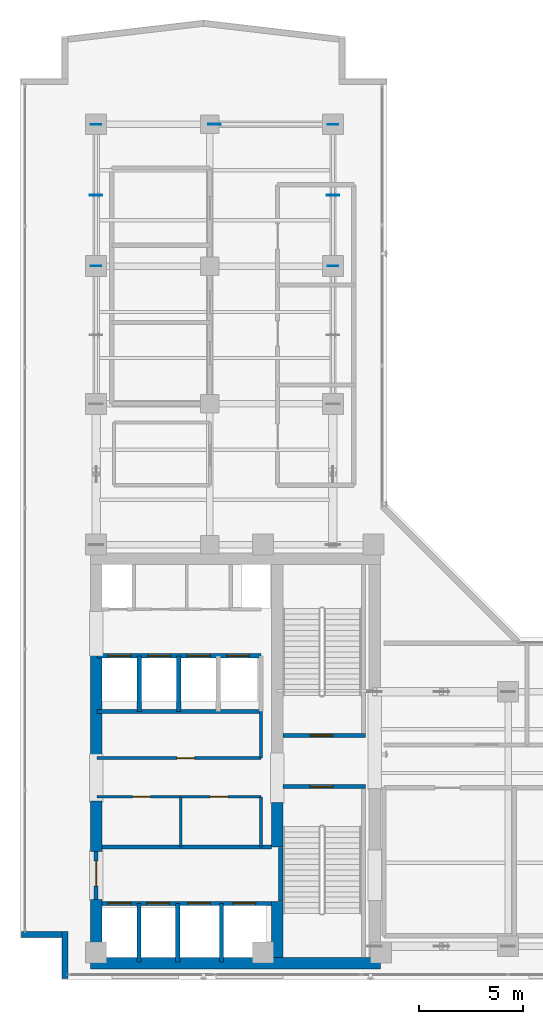
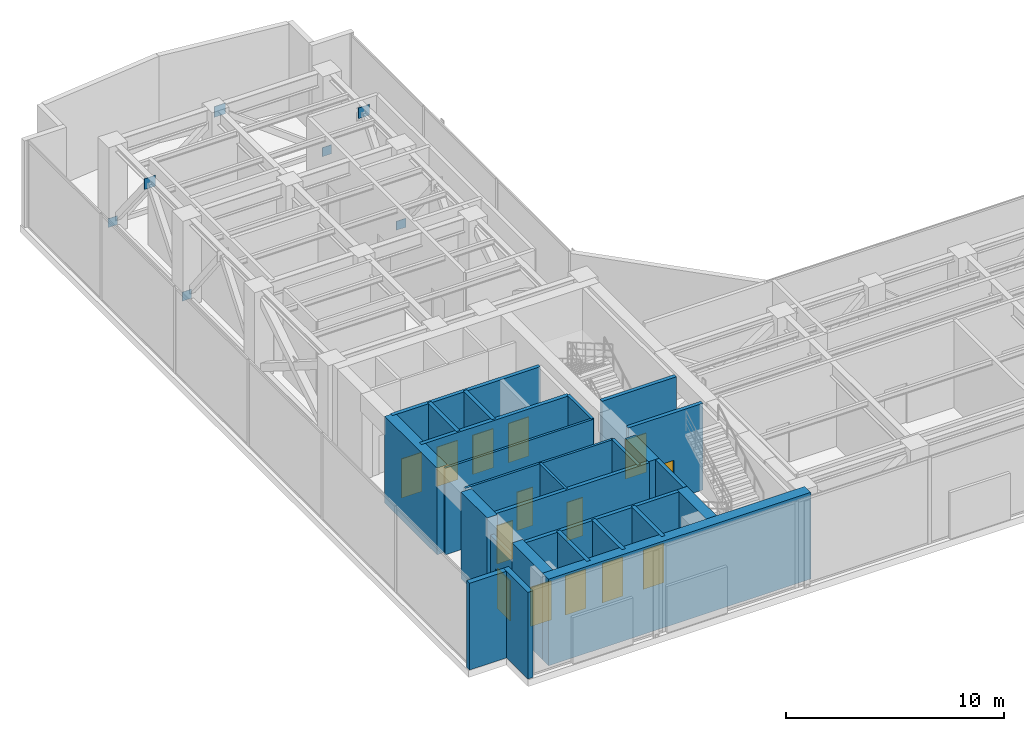
# One storey, part 26 of 31: 26 walls, 14 doors, 7 plates, 14 openings.
"""IFC4 building model written with IfcOpenShell, lengths in metres."""

from ifc_helpers import new_model, si_unit, direction, frame, frame_2d, origin, origin_with_axes, origin_2d, place, context, subcontext, project, spatial, rectangle, extrude, source, transform, mapped, material, layer, layer_set, type_object, element, fill, save


model = new_model("IFC4")

# Units and contexts
model_context = context("Model", 3, precision=1e-05, world=origin(), true_north=direction((0.0, 1.0)))
body_context = subcontext(model_context, "Body", "Model", "MODEL_VIEW")
ifc_project = project(units=[si_unit("LENGTHUNIT", "METRE"), si_unit("AREAUNIT", "SQUARE_METRE"), si_unit("VOLUMEUNIT", "CUBIC_METRE"), si_unit("PLANEANGLEUNIT", "RADIAN"), si_unit("MASSUNIT", "GRAM", prefix="KILO")], contexts=[model_context])

# Site, building, storey
site_placement = place(None, origin())
site = spatial("IfcSite", under=ifc_project, at=site_placement, CompositionType="ELEMENT")
building_placement = place(site_placement, origin())
building = spatial("IfcBuilding", under=site, at=building_placement, Name="Kolvaren Waterfront Exchange", CompositionType="ELEMENT")
storey_placement = place(building_placement, frame((0.0, 0.0, 257.699951171875)))
storey = spatial("IfcBuildingStorey", under=building, at=storey_placement, Name="L66", CompositionType="ELEMENT", Elevation=257.699951171875)

# Plates
ifc_material_1 = material(Name="Steel S460", Category="steel")
ifc_layer_1 = layer(ifc_material_1, 0.030029296875, Name="Steel S460")
ifc_layer_set_1 = layer_set([ifc_layer_1], Name="Steel S460")
plate_type_1 = type_object("IfcPlateType", Name="STR-PL-BN1", PredefinedType="SHEET", material=ifc_layer_set_1)
shared_shape_1 = source(origin_with_axes(), body_context, "Body", "SweptSolid", [
    extrude(rectangle(XDim=0.60009765625, YDim=0.030029296875, at=origin_2d()), origin(), (0.0, 0.0, 1.0), 0.60009765625),
])
for number, where, z_axis, x_axis, name in (
    (1, (7.449951171875, 41.199951171875, 4.2099609375), (0.0, 0.0, 1.0), (1.0, 0.0, 0.0), "L66 belt-truss chevron apex gusset BT5"),
    (2, (18.800048828125, 41.199951171875, 4.2099609375), (0.0, 0.0, 1.0), (1.0, 0.0, 0.0), "L66 belt-truss chevron apex gusset BT7"),
    (3, (13.125, 44.60009765625, 4.2099609375), (0.0, 0.0, 1.0), (1.0, 0.0, 0.0), "L66 belt-truss chevron apex gusset BT8"),
):
    element("IfcPlate", number, at=place(storey_placement, frame(where, z_axis=z_axis, x_axis=x_axis)), inside=storey, type_object=plate_type_1, Name=name, PredefinedType="SHEET", context=body_context, shape_type="MappedRepresentation", body=[
        mapped(shared_shape_1, transform((0.0, 0.0, 0.0), x_axis=(1.0, 0.0, 0.0), y_axis=(0.0, 1.0, 0.0), z_axis=(0.0, 0.0, 1.0), scale=1.0)),
    ])
ifc_material_2 = material(Name="Steel S355", Category="steel")
ifc_layer_2 = layer(ifc_material_2, 0.02490234375, Name="Steel S355")
ifc_layer_set_2 = layer_set([ifc_layer_2], Name="Steel S355")
plate_type_2 = type_object("IfcPlateType", Name="STR-PL-BN2", PredefinedType="SHEET", material=ifc_layer_set_2)
shared_shape_2 = source(origin_with_axes(), body_context, "Body", "SweptSolid", [
    extrude(rectangle(XDim=0.5, YDim=0.02490234375, at=origin_2d()), origin(), (0.0, 0.0, 1.0), 0.5),
])
for number, where, z_axis, x_axis, name in (
    (4, (7.449951171875, 37.800048828125, 0.0), (0.0, 0.0, 1.0), (1.0, 0.0, 0.0), "L66 belt-truss end cap plate BT4.2"),
    (5, (7.449951171875, 44.60009765625, 0.0), (0.0, 0.0, 1.0), (1.0, 0.0, 0.0), "L66 belt-truss end cap plate BT5.2"),
    (6, (18.800048828125, 37.800048828125, 0.0), (0.0, 0.0, 1.0), (1.0, 0.0, 0.0), "L66 belt-truss end cap plate BT6.2"),
    (7, (18.800048828125, 44.60009765625, 0.0), (0.0, 0.0, 1.0), (1.0, 0.0, 0.0), "L66 belt-truss end cap plate BT7.2"),
):
    element("IfcPlate", number, at=place(storey_placement, frame(where, z_axis=z_axis, x_axis=x_axis)), inside=storey, type_object=plate_type_2, Name=name, PredefinedType="SHEET", context=body_context, shape_type="MappedRepresentation", body=[
        mapped(shared_shape_2, transform((0.0, 0.0, 0.0), x_axis=(1.0, 0.0, 0.0), y_axis=(0.0, 1.0, 0.0), z_axis=(0.0, 0.0, 1.0), scale=1.0)),
    ])

# Walls
ifc_material_3 = material(Name="Precast concrete C40/50", Category="concrete")
ifc_layer_3 = layer(ifc_material_3, 0.280029296875, Name="Precast concrete C40/50")
ifc_layer_set_3 = layer_set([ifc_layer_3], Name="Precast concrete C40/50")
wall_type_1 = type_object("IfcWallType", Name="ARC-EXT-TERR-280", PredefinedType="SOLIDWALL", material=ifc_layer_set_3)
wall_1_placement = place(storey_placement, frame((5.9599609375, 3.659912109375, 0.0), z_axis=(0.0, 0.0, 1.0), x_axis=(0.0, 1.0, 0.0)))
element("IfcWall", 8, at=wall_1_placement, inside=storey, type_object=wall_type_1, Name="L66 notched corner spandrel pier SW-A", PredefinedType="SOLIDWALL", context=body_context, shape_type="SweptSolid", body=[
    extrude(rectangle(XDim=2.239990234375, YDim=0.280029296875, at=frame_2d((1.1201171875, 0.0))), origin(), (0.0, 0.0, 1.0), 4.860107421875),
])
wall_2_placement = place(storey_placement, frame((3.860107421875, 5.760009765625, 0.0), z_axis=(0.0, 0.0, 1.0), x_axis=(1.0, 0.0, 0.0)))
element("IfcWall", 9, at=wall_2_placement, inside=storey, type_object=wall_type_1, Name="L66 notched corner spandrel pier SW-B", PredefinedType="SOLIDWALL", context=body_context, shape_type="SweptSolid", body=[
    extrude(rectangle(XDim=1.9599609375, YDim=0.280029296875, at=frame_2d((0.97998046875, 0.0))), origin(), (0.0, 0.0, 1.0), 4.860107421875),
])

# Wall, opening, door
ifc_layer_4 = layer(ifc_material_3, 0.199951171875, Name="Precast concrete C40/50")
ifc_layer_set_4 = layer_set([ifc_layer_4], Name="Precast concrete C40/50")
wall_type_2 = type_object("IfcWallType", Name="ARC-FIRE-200", PredefinedType="PARTITIONING", material=ifc_layer_set_4)
wall_3_placement = place(storey_placement, frame((16.39990234375, 12.85009765625, 0.0), z_axis=(0.0, 0.0, 1.0), x_axis=(1.0, 0.0, 0.0)))
wall_3 = element("IfcWall", 10, at=wall_3_placement, inside=storey, type_object=wall_type_2, Name="L66 interior wall PW-L66-ST1-THROAT-S", PredefinedType="PARTITIONING", context=body_context, shape_type="SweptSolid", body=[
    extrude(rectangle(XDim=3.960205078125, YDim=0.199951171875, at=frame_2d((1.97998046875, 0.0))), origin(), (0.0, 0.0, 1.0), 4.860107421875),
])
opening_1_placement = place(wall_3_placement, frame((1.3037109375, 0.0, 0.0)))
opening_1 = element("IfcOpeningElement", 11, at=opening_1_placement, cuts=wall_3, Name="Opening FD2", PredefinedType="OPENING", context=body_context, shape_type="SweptSolid", body=[
    extrude(rectangle(XDim=1.10009765625, YDim=2.199951171875, at=frame_2d((0.550048828125, 1.10009765625))), frame((0.0, 0.10986328125, 0.0), z_axis=(0.0, -1.0, 0.0), x_axis=(1.0, 0.0, 0.0)), (0.0, 0.0, 1.0), 0.219970703125),
])
ifc_material_4 = material(Name="Pressed steel smoke-seal fire door", Category="steel")
door_type_1 = type_object("IfcDoorType", Name="ARC-FD-1100", OperationType="NOTDEFINED", PredefinedType="DOOR", material=ifc_material_4)
door_1_placement = place(opening_1_placement, frame((1.10009765625, 0.0, 0.0), z_axis=(0.0, 0.0, 1.0), x_axis=(-1.0, 0.0, 0.0)))
door_1 = element("IfcDoor", 12, at=door_1_placement, inside=storey, type_object=door_type_1, Name="L66 door DR-L66-ST1-IN (FD2)", OperationType="SINGLE_SWING_RIGHT", OverallHeight=2.199951171875, OverallWidth=1.10009765625, PredefinedType="DOOR", context=body_context, shape_type="SweptSolid", body=[
    extrude(rectangle(XDim=1.10009765625, YDim=2.199951171875, at=frame_2d((0.550048828125, 1.10009765625))), frame((0.0, 0.02490234375, 0.0), z_axis=(0.0, -1.0, 0.0), x_axis=(1.0, 0.0, 0.0)), (0.0, 0.0, 1.0), 0.050048828125),
])
fill(opening_1, door_1)

wall_4_placement = place(storey_placement, frame((16.409912109375, 15.300048828125, 0.0), z_axis=(0.0, 0.0, 1.0), x_axis=(1.0, 0.0, 0.0)))
wall_4 = element("IfcWall", 13, at=wall_4_placement, inside=storey, type_object=wall_type_2, Name="L66 interior wall PW-L66-ST2-THROAT-N", PredefinedType="PARTITIONING", context=body_context, shape_type="SweptSolid", body=[
    extrude(rectangle(XDim=3.9501953125, YDim=0.199951171875, at=frame_2d((1.97509765625, 0.0))), origin(), (0.0, 0.0, 1.0), 4.860107421875),
])
opening_2_placement = place(wall_4_placement, frame((1.293701171875, 0.0, 0.0)))
opening_2 = element("IfcOpeningElement", 14, at=opening_2_placement, cuts=wall_4, Name="Opening FD2", PredefinedType="OPENING", context=body_context, shape_type="SweptSolid", body=[
    extrude(rectangle(XDim=1.10009765625, YDim=2.199951171875, at=frame_2d((0.550048828125, 1.10009765625))), frame((0.0, 0.10986328125, 0.0), z_axis=(0.0, -1.0, 0.0), x_axis=(1.0, 0.0, 0.0)), (0.0, 0.0, 1.0), 0.219970703125),
])
door_2_placement = place(opening_2_placement, origin())
door_2 = element("IfcDoor", 15, at=door_2_placement, inside=storey, type_object=door_type_1, Name="L66 door DR-L66-ST2-IN (FD2)", OperationType="SINGLE_SWING_LEFT", OverallHeight=2.199951171875, OverallWidth=1.10009765625, PredefinedType="DOOR", context=body_context, shape_type="SweptSolid", body=[
    extrude(rectangle(XDim=1.10009765625, YDim=2.199951171875, at=frame_2d((0.550048828125, 1.10009765625))), frame((0.0, 0.02490234375, 0.0), z_axis=(0.0, -1.0, 0.0), x_axis=(1.0, 0.0, 0.0)), (0.0, 0.0, 1.0), 0.050048828125),
])
fill(opening_2, door_2)

# Wall
wall_5_placement = place(storey_placement, frame((7.5, 9.949951171875, 0.0), z_axis=(0.0, 0.0, 1.0), x_axis=(1.0, 0.0, 0.0)))
element("IfcWall", 16, at=wall_5_placement, inside=storey, type_object=wall_type_2, Name="L66 interior wall PW-L66-FF-N", PredefinedType="PARTITIONING", context=body_context, shape_type="SweptSolid", body=[
    extrude(rectangle(XDim=8.35009765625, YDim=0.199951171875, at=frame_2d((4.175048828125, 0.0))), origin(), (0.0, 0.0, 1.0), 4.860107421875),
])

# Wall, opening, door
wall_6_placement = place(storey_placement, frame((7.449951171875, 7.449951171875, 0.0), z_axis=(0.0, 0.0, 1.0), x_axis=(0.0, 1.0, 0.0)))
wall_6 = element("IfcWall", 17, at=wall_6_placement, inside=storey, type_object=wall_type_2, Name="L66 interior wall PW-L66-FF-W-DOOR", PredefinedType="PARTITIONING", context=body_context, shape_type="SweptSolid", body=[
    extrude(rectangle(XDim=2.300048828125, YDim=0.199951171875, at=frame_2d((1.14990234375, 0.0))), origin(), (0.0, 0.0, 1.0), 3.840087890625),
])
opening_3_placement = place(wall_6_placement, frame((0.63330078125, 0.0, 0.0)))
opening_3 = element("IfcOpeningElement", 18, at=opening_3_placement, cuts=wall_6, Name="Opening FD3", PredefinedType="OPENING", context=body_context, shape_type="SweptSolid", body=[
    extrude(rectangle(XDim=1.199951171875, YDim=2.25, at=frame_2d((0.60009765625, 1.125))), frame((0.0, 0.10986328125, 0.0), z_axis=(0.0, -1.0, 0.0), x_axis=(1.0, 0.0, 0.0)), (0.0, 0.0, 1.0), 0.219970703125),
])
ifc_material_5 = material(Name="Pressed steel fire door", Category="steel")
door_type_2 = type_object("IfcDoorType", Name="ARC-FD-1200", OperationType="NOTDEFINED", PredefinedType="DOOR", material=ifc_material_5)
door_3_placement = place(opening_3_placement, frame((1.199951171875, 0.0, 0.0), z_axis=(0.0, 0.0, 1.0), x_axis=(-1.0, 0.0, 0.0)))
door_3 = element("IfcDoor", 19, at=door_3_placement, inside=storey, type_object=door_type_2, Name="L66 door DR-L66-FF-OUT (FD3)", OperationType="SINGLE_SWING_RIGHT", OverallHeight=2.25, OverallWidth=1.199951171875, PredefinedType="DOOR", context=body_context, shape_type="SweptSolid", body=[
    extrude(rectangle(XDim=1.199951171875, YDim=2.25, at=frame_2d((0.60009765625, 1.125))), frame((0.0, 0.02490234375, 0.0), z_axis=(0.0, -1.0, 0.0), x_axis=(1.0, 0.0, 0.0)), (0.0, 0.0, 1.0), 0.050048828125),
])
fill(opening_3, door_3)

# Wall, openings, doors
ifc_material_6 = material(Name="Acoustic gypsum steel stud", Category="steel")
ifc_layer_5 = layer(ifc_material_6, 0.125, Name="Acoustic gypsum steel stud")
ifc_layer_set_5 = layer_set([ifc_layer_5], Name="Acoustic gypsum steel stud")
wall_type_3 = type_object("IfcWallType", Name="ARC-PART-125", PredefinedType="PARTITIONING", material=ifc_layer_set_5)
wall_7_placement = place(storey_placement, frame((7.5, 12.360107421875, 0.0), z_axis=(0.0, 0.0, 1.0), x_axis=(1.0, 0.0, 0.0)))
wall_7 = element("IfcWall", 20, at=wall_7_placement, inside=storey, type_object=wall_type_3, Name="L66 interior wall PW-L66-REC-HI-S", PredefinedType="PARTITIONING", context=body_context, shape_type="SweptSolid", body=[
    extrude(rectangle(XDim=7.85009765625, YDim=0.125, at=frame_2d((3.925048828125, 0.0))), origin(), (0.0, 0.0, 1.0), 4.860107421875),
])
opening_4_placement = place(wall_7_placement, frame((1.699951171875, 0.0, 0.0)))
opening_4 = element("IfcOpeningElement", 21, at=opening_4_placement, cuts=wall_7, Name="Opening D01", PredefinedType="OPENING", context=body_context, shape_type="SweptSolid", body=[
    extrude(rectangle(XDim=0.85009765625, YDim=2.14990234375, at=frame_2d((0.425048828125, 1.074951171875))), frame((0.0, 0.072509765625, 0.0), z_axis=(0.0, -1.0, 0.0), x_axis=(1.0, 0.0, 0.0)), (0.0, 0.0, 1.0), 0.14501953125),
])
opening_5_placement = place(wall_7_placement, frame((5.41259765625, 0.0, 0.0)))
opening_5 = element("IfcOpeningElement", 22, at=opening_5_placement, cuts=wall_7, Name="Opening D01", PredefinedType="OPENING", context=body_context, shape_type="SweptSolid", body=[
    extrude(rectangle(XDim=0.85009765625, YDim=2.14990234375, at=frame_2d((0.425048828125, 1.074951171875))), frame((0.0, 0.072509765625, 0.0), z_axis=(0.0, -1.0, 0.0), x_axis=(1.0, 0.0, 0.0)), (0.0, 0.0, 1.0), 0.14501953125),
])
ifc_material_7 = material(Name="Oak veneer timber leaf", Category="wood")
door_type_3 = type_object("IfcDoorType", Name="ARC-DR-900", OperationType="NOTDEFINED", PredefinedType="DOOR", material=ifc_material_7)
door_4_placement = place(opening_4_placement, origin())
door_4 = element("IfcDoor", 23, at=door_4_placement, inside=storey, type_object=door_type_3, Name="L66 door DR-L66-REC-HI-D1 (D01)", OperationType="SINGLE_SWING_LEFT", OverallHeight=2.14990234375, OverallWidth=0.85009765625, PredefinedType="DOOR", context=body_context, shape_type="SweptSolid", body=[
    extrude(rectangle(XDim=0.85009765625, YDim=2.14990234375, at=frame_2d((0.425048828125, 1.074951171875))), frame((0.0, 0.02490234375, 0.0), z_axis=(0.0, -1.0, 0.0), x_axis=(1.0, 0.0, 0.0)), (0.0, 0.0, 1.0), 0.050048828125),
])
fill(opening_4, door_4)
door_5_placement = place(opening_5_placement, origin())
door_5 = element("IfcDoor", 24, at=door_5_placement, inside=storey, type_object=door_type_3, Name="L66 door DR-L66-REC-HI-D2 (D01)", OperationType="SINGLE_SWING_RIGHT", OverallHeight=2.14990234375, OverallWidth=0.85009765625, PredefinedType="DOOR", context=body_context, shape_type="SweptSolid", body=[
    extrude(rectangle(XDim=0.85009765625, YDim=2.14990234375, at=frame_2d((0.425048828125, 1.074951171875))), frame((0.0, 0.02490234375, 0.0), z_axis=(0.0, -1.0, 0.0), x_axis=(1.0, 0.0, 0.0)), (0.0, 0.0, 1.0), 0.050048828125),
])
fill(opening_5, door_5)

# Wall, opening, door
wall_8_placement = place(storey_placement, frame((7.5, 14.219970703125, 0.0), z_axis=(0.0, 0.0, 1.0), x_axis=(1.0, 0.0, 0.0)))
wall_8 = element("IfcWall", 25, at=wall_8_placement, inside=storey, type_object=wall_type_3, Name="L66 interior wall PW-L66-REC-HI-N", PredefinedType="PARTITIONING", context=body_context, shape_type="SweptSolid", body=[
    extrude(rectangle(XDim=7.85009765625, YDim=0.125, at=frame_2d((3.925048828125, 0.0))), origin(), (0.0, 0.0, 1.0), 4.860107421875),
])
opening_6_placement = place(wall_8_placement, frame((3.824951171875, 0.0, 0.0)))
opening_6 = element("IfcOpeningElement", 26, at=opening_6_placement, cuts=wall_8, Name="Opening D01", PredefinedType="OPENING", context=body_context, shape_type="SweptSolid", body=[
    extrude(rectangle(XDim=0.85009765625, YDim=2.14990234375, at=frame_2d((0.425048828125, 1.074951171875))), frame((0.0, 0.072509765625, 0.0), z_axis=(0.0, -1.0, 0.0), x_axis=(1.0, 0.0, 0.0)), (0.0, 0.0, 1.0), 0.14501953125),
])
door_6_placement = place(opening_6_placement, origin())
door_6 = element("IfcDoor", 27, at=door_6_placement, inside=storey, type_object=door_type_3, Name="L66 door DR-L66-REC-HI-D3 (D01)", OperationType="SINGLE_SWING_LEFT", OverallHeight=2.14990234375, OverallWidth=0.85009765625, PredefinedType="DOOR", context=body_context, shape_type="SweptSolid", body=[
    extrude(rectangle(XDim=0.85009765625, YDim=2.14990234375, at=frame_2d((0.425048828125, 1.074951171875))), frame((0.0, 0.02490234375, 0.0), z_axis=(0.0, -1.0, 0.0), x_axis=(1.0, 0.0, 0.0)), (0.0, 0.0, 1.0), 0.050048828125),
])
fill(opening_6, door_6)

# Walls
wall_9_placement = place(storey_placement, frame((11.5, 9.949951171875, 0.0), z_axis=(0.0, 0.0, 1.0), x_axis=(0.0, 1.0, 0.0)))
element("IfcWall", 28, at=wall_9_placement, inside=storey, type_object=wall_type_3, Name="L66 interior wall PW-L66-REC-HI-MS1", PredefinedType="PARTITIONING", context=body_context, shape_type="SweptSolid", body=[
    extrude(rectangle(XDim=2.41015625, YDim=0.125, at=frame_2d((1.205078125, 0.0))), origin(), (0.0, 0.0, 1.0), 4.860107421875),
])
ifc_material_8 = material(Name="Gypsum fireboard steel stud", Category="steel")
ifc_layer_6 = layer(ifc_material_8, 0.14990234375, Name="Gypsum fireboard steel stud")
ifc_layer_set_6 = layer_set([ifc_layer_6], Name="Gypsum fireboard steel stud")
wall_type_4 = type_object("IfcWallType", Name="ARC-PART-150", PredefinedType="PARTITIONING", material=ifc_layer_set_6)
wall_10_placement = place(storey_placement, frame((15.35009765625, 9.949951171875, 0.0), z_axis=(0.0, 0.0, 1.0), x_axis=(0.0, 1.0, 0.0)))
element("IfcWall", 29, at=wall_10_placement, inside=storey, type_object=wall_type_4, Name="L66 interior wall PW-L66-REC-HI-E1", PredefinedType="PARTITIONING", context=body_context, shape_type="SweptSolid", body=[
    extrude(rectangle(XDim=2.41015625, YDim=0.14990234375, at=frame_2d((1.205078125, 0.0))), origin(), (0.0, 0.0, 1.0), 4.860107421875),
])
wall_11_placement = place(storey_placement, frame((15.35009765625, 14.219970703125, 0.0), z_axis=(0.0, 0.0, 1.0), x_axis=(0.0, 1.0, 0.0)))
element("IfcWall", 30, at=wall_11_placement, inside=storey, type_object=wall_type_4, Name="L66 interior wall PW-L66-REC-HI-E2", PredefinedType="PARTITIONING", context=body_context, shape_type="SweptSolid", body=[
    extrude(rectangle(XDim=2.22998046875, YDim=0.14990234375, at=frame_2d((1.114990234375, 0.0))), origin(), (0.0, 0.0, 1.0), 4.860107421875),
])
ifc_material_9 = material(Name="Concrete C40/50", Category="concrete")
ifc_layer_7 = layer(ifc_material_9, 0.199951171875, Name="Concrete C40/50")
ifc_layer_set_7 = layer_set([ifc_layer_7], Name="Concrete C40/50")
wall_type_5 = type_object("IfcWallType", Name="ARC-SHAFT-200", PredefinedType="PARTITIONING", material=ifc_layer_set_7)
wall_12_placement = place(storey_placement, frame((16.300048828125, 7.360107421875, 0.0), z_axis=(0.0, 0.0, 1.0), x_axis=(0.0, 1.0, 0.0)))
element("IfcWall", 31, at=wall_12_placement, inside=storey, type_object=wall_type_5, Name="L66 structural stairwell wall PW-L66-ST1-W", PredefinedType="SHEAR", context=body_context, shape_type="SweptSolid", body=[
    extrude(rectangle(XDim=2.579833984375, YDim=0.199951171875, at=frame_2d((1.2900390625, 0.0))), origin(), (0.0, 0.0, 1.0), 4.860107421875),
])

# Wall, openings, doors
wall_13_placement = place(storey_placement, frame((7.5, 7.25, 0.0), z_axis=(0.0, 0.0, 1.0), x_axis=(1.0, 0.0, 0.0)))
wall_13 = element("IfcWall", 32, at=wall_13_placement, inside=storey, type_object=wall_type_5, Name="L66 interior wall PW-L66-FF-S", PredefinedType="PARTITIONING", context=body_context, shape_type="SweptSolid", body=[
    extrude(rectangle(XDim=8.35009765625, YDim=0.199951171875, at=frame_2d((4.175048828125, 0.0))), origin(), (0.0, 0.0, 1.0), 4.860107421875),
])
opening_7_placement = place(wall_13_placement, frame((0.530029296875, 0.0, 0.0)))
opening_7 = element("IfcOpeningElement", 33, at=opening_7_placement, cuts=wall_13, Name="Opening LD1", PredefinedType="OPENING", context=body_context, shape_type="SweptSolid", body=[
    extrude(rectangle(XDim=1.10009765625, YDim=2.199951171875, at=frame_2d((0.550048828125, 1.10009765625))), frame((0.0, 0.10986328125, 0.0), z_axis=(0.0, -1.0, 0.0), x_axis=(1.0, 0.0, 0.0)), (0.0, 0.0, 1.0), 0.219970703125),
])
opening_8_placement = place(wall_13_placement, frame((2.3701171875, 0.0, 0.0)))
opening_8 = element("IfcOpeningElement", 34, at=opening_8_placement, cuts=wall_13, Name="Opening LD1", PredefinedType="OPENING", context=body_context, shape_type="SweptSolid", body=[
    extrude(rectangle(XDim=1.10009765625, YDim=2.199951171875, at=frame_2d((0.550048828125, 1.10009765625))), frame((0.0, 0.10986328125, 0.0), z_axis=(0.0, -1.0, 0.0), x_axis=(1.0, 0.0, 0.0)), (0.0, 0.0, 1.0), 0.219970703125),
])
opening_9_placement = place(wall_13_placement, frame((4.330078125, 0.0, 0.0)))
opening_9 = element("IfcOpeningElement", 35, at=opening_9_placement, cuts=wall_13, Name="Opening LD1", PredefinedType="OPENING", context=body_context, shape_type="SweptSolid", body=[
    extrude(rectangle(XDim=1.10009765625, YDim=2.199951171875, at=frame_2d((0.550048828125, 1.10009765625))), frame((0.0, 0.10986328125, 0.0), z_axis=(0.0, -1.0, 0.0), x_axis=(1.0, 0.0, 0.0)), (0.0, 0.0, 1.0), 0.219970703125),
])
opening_10_placement = place(wall_13_placement, frame((6.5, 0.0, 0.0)))
opening_10 = element("IfcOpeningElement", 36, at=opening_10_placement, cuts=wall_13, Name="Opening LD1", PredefinedType="OPENING", context=body_context, shape_type="SweptSolid", body=[
    extrude(rectangle(XDim=1.10009765625, YDim=2.199951171875, at=frame_2d((0.550048828125, 1.10009765625))), frame((0.0, 0.10986328125, 0.0), z_axis=(0.0, -1.0, 0.0), x_axis=(1.0, 0.0, 0.0)), (0.0, 0.0, 1.0), 0.219970703125),
])
ifc_material_10 = material(Name="Stainless steel sliding landing door", Category="steel")
door_type_4 = type_object("IfcDoorType", Name="ARC-LD-FF", OperationType="SLIDING_TO_LEFT", PredefinedType="DOOR", material=ifc_material_10)
door_7_placement = place(opening_7_placement, origin())
door_7 = element("IfcDoor", 37, at=door_7_placement, inside=storey, type_object=door_type_4, Name="L66 door LD-L66-FFL1 (LD1)", OperationType="SLIDING_TO_LEFT", OverallHeight=2.199951171875, OverallWidth=1.10009765625, PredefinedType="DOOR", context=body_context, shape_type="SweptSolid", body=[
    extrude(rectangle(XDim=1.10009765625, YDim=2.199951171875, at=frame_2d((0.550048828125, 1.10009765625))), frame((0.0, 0.02490234375, 0.0), z_axis=(0.0, -1.0, 0.0), x_axis=(1.0, 0.0, 0.0)), (0.0, 0.0, 1.0), 0.050048828125),
])
fill(opening_7, door_7)
door_8_placement = place(opening_8_placement, origin())
door_8 = element("IfcDoor", 38, at=door_8_placement, inside=storey, type_object=door_type_4, Name="L66 door LD-L66-FFL2 (LD1)", OperationType="SLIDING_TO_LEFT", OverallHeight=2.199951171875, OverallWidth=1.10009765625, PredefinedType="DOOR", context=body_context, shape_type="SweptSolid", body=[
    extrude(rectangle(XDim=1.10009765625, YDim=2.199951171875, at=frame_2d((0.550048828125, 1.10009765625))), frame((0.0, 0.02490234375, 0.0), z_axis=(0.0, -1.0, 0.0), x_axis=(1.0, 0.0, 0.0)), (0.0, 0.0, 1.0), 0.050048828125),
])
fill(opening_8, door_8)
door_9_placement = place(opening_9_placement, origin())
door_9 = element("IfcDoor", 39, at=door_9_placement, inside=storey, type_object=door_type_4, Name="L66 door LD-L66-GL1 (LD1)", OperationType="SLIDING_TO_LEFT", OverallHeight=2.199951171875, OverallWidth=1.10009765625, PredefinedType="DOOR", context=body_context, shape_type="SweptSolid", body=[
    extrude(rectangle(XDim=1.10009765625, YDim=2.199951171875, at=frame_2d((0.550048828125, 1.10009765625))), frame((0.0, 0.02490234375, 0.0), z_axis=(0.0, -1.0, 0.0), x_axis=(1.0, 0.0, 0.0)), (0.0, 0.0, 1.0), 0.050048828125),
])
fill(opening_9, door_9)
door_10_placement = place(opening_10_placement, origin())
door_10 = element("IfcDoor", 40, at=door_10_placement, inside=storey, type_object=door_type_4, Name="L66 door LD-L66-GL2 (LD1)", OperationType="SLIDING_TO_LEFT", OverallHeight=2.199951171875, OverallWidth=1.10009765625, PredefinedType="DOOR", context=body_context, shape_type="SweptSolid", body=[
    extrude(rectangle(XDim=1.10009765625, YDim=2.199951171875, at=frame_2d((0.550048828125, 1.10009765625))), frame((0.0, 0.02490234375, 0.0), z_axis=(0.0, -1.0, 0.0), x_axis=(1.0, 0.0, 0.0)), (0.0, 0.0, 1.0), 0.050048828125),
])
fill(opening_10, door_10)

# Walls
for number, where, z_axis, x_axis, name in (
    (41, (9.5, 4.449951171875, 0.0), (0.0, 0.0, 1.0), (0.0, 1.0, 0.0), "L66 interior wall PW-L66-SH1-DIV-95"),
    (42, (11.360107421875, 4.449951171875, 0.0), (0.0, 0.0, 1.0), (0.0, 1.0, 0.0), "L66 interior wall PW-L66-SH1-DIV-113"),
    (43, (13.4599609375, 4.449951171875, 0.0), (0.0, 0.0, 1.0), (0.0, 1.0, 0.0), "L66 interior wall PW-L66-SH1-DIV-134"),
):
    element("IfcWall", number, at=place(storey_placement, frame(where, z_axis=z_axis, x_axis=x_axis)), inside=storey, type_object=wall_type_5, Name=name, PredefinedType="PARTITIONING", context=body_context, shape_type="SweptSolid", body=[
        extrude(rectangle(XDim=2.800048828125, YDim=0.199951171875, at=frame_2d((1.39990234375, 0.0))), origin(), (0.0, 0.0, 1.0), 4.860107421875),
    ])
wall_14_placement = place(storey_placement, frame((7.5, 16.449951171875, 0.0), z_axis=(0.0, 0.0, 1.0), x_axis=(1.0, 0.0, 0.0)))
element("IfcWall", 44, at=wall_14_placement, inside=storey, type_object=wall_type_5, Name="L66 interior wall PW-L66-REC-PM-N", PredefinedType="PARTITIONING", context=body_context, shape_type="SweptSolid", body=[
    extrude(rectangle(XDim=7.85009765625, YDim=0.199951171875, at=frame_2d((3.925048828125, 0.0))), origin(), (0.0, 0.0, 1.0), 4.860107421875),
])

# Wall, openings, doors
wall_15_placement = place(storey_placement, frame((7.5, 19.1201171875, 0.0), z_axis=(0.0, 0.0, 1.0), x_axis=(1.0, 0.0, 0.0)))
wall_15 = element("IfcWall", 45, at=wall_15_placement, inside=storey, type_object=wall_type_5, Name="L66 interior wall PW-L66-PH-N", PredefinedType="PARTITIONING", context=body_context, shape_type="SweptSolid", body=[
    extrude(rectangle(XDim=7.85009765625, YDim=0.199951171875, at=frame_2d((3.925048828125, 0.0))), origin(), (0.0, 0.0, 1.0), 4.860107421875),
])
opening_11_placement = place(wall_15_placement, frame((0.530029296875, 0.0, 0.0)))
opening_11 = element("IfcOpeningElement", 46, at=opening_11_placement, cuts=wall_15, Name="Opening LD2", PredefinedType="OPENING", context=body_context, shape_type="SweptSolid", body=[
    extrude(rectangle(XDim=1.10009765625, YDim=2.199951171875, at=frame_2d((0.550048828125, 1.10009765625))), frame((0.0, 0.10986328125, 0.0), z_axis=(0.0, -1.0, 0.0), x_axis=(1.0, 0.0, 0.0)), (0.0, 0.0, 1.0), 0.219970703125),
])
opening_12_placement = place(wall_15_placement, frame((2.419921875, 0.0, 0.0)))
opening_12 = element("IfcOpeningElement", 47, at=opening_12_placement, cuts=wall_15, Name="Opening LD2", PredefinedType="OPENING", context=body_context, shape_type="SweptSolid", body=[
    extrude(rectangle(XDim=1.10009765625, YDim=2.199951171875, at=frame_2d((0.550048828125, 1.10009765625))), frame((0.0, 0.10986328125, 0.0), z_axis=(0.0, -1.0, 0.0), x_axis=(1.0, 0.0, 0.0)), (0.0, 0.0, 1.0), 0.219970703125),
])
opening_13_placement = place(wall_15_placement, frame((4.31005859375, 0.0, 0.0)))
opening_13 = element("IfcOpeningElement", 48, at=opening_13_placement, cuts=wall_15, Name="Opening LD2", PredefinedType="OPENING", context=body_context, shape_type="SweptSolid", body=[
    extrude(rectangle(XDim=1.10009765625, YDim=2.199951171875, at=frame_2d((0.550048828125, 1.10009765625))), frame((0.0, 0.10986328125, 0.0), z_axis=(0.0, -1.0, 0.0), x_axis=(1.0, 0.0, 0.0)), (0.0, 0.0, 1.0), 0.219970703125),
])
opening_14_placement = place(wall_15_placement, frame((6.199951171875, 0.0, 0.0)))
opening_14 = element("IfcOpeningElement", 49, at=opening_14_placement, cuts=wall_15, Name="Opening LD2", PredefinedType="OPENING", context=body_context, shape_type="SweptSolid", body=[
    extrude(rectangle(XDim=1.10009765625, YDim=2.199951171875, at=frame_2d((0.550048828125, 1.10009765625))), frame((0.0, 0.10986328125, 0.0), z_axis=(0.0, -1.0, 0.0), x_axis=(1.0, 0.0, 0.0)), (0.0, 0.0, 1.0), 0.219970703125),
])
ifc_material_11 = material(Name="Brushed bronze sliding landing door", Category="aluminium")
door_type_5 = type_object("IfcDoorType", Name="ARC-LD-PAX", OperationType="SLIDING_TO_LEFT", PredefinedType="DOOR", material=ifc_material_11)
door_11_placement = place(opening_11_placement, origin())
door_11 = element("IfcDoor", 50, at=door_11_placement, inside=storey, type_object=door_type_5, Name="L66 door LD-L66-PH1 (LD2)", OperationType="SLIDING_TO_LEFT", OverallHeight=2.199951171875, OverallWidth=1.10009765625, PredefinedType="DOOR", context=body_context, shape_type="SweptSolid", body=[
    extrude(rectangle(XDim=1.10009765625, YDim=2.199951171875, at=frame_2d((0.550048828125, 1.10009765625))), frame((0.0, 0.02490234375, 0.0), z_axis=(0.0, -1.0, 0.0), x_axis=(1.0, 0.0, 0.0)), (0.0, 0.0, 1.0), 0.050048828125),
])
fill(opening_11, door_11)
door_12_placement = place(opening_12_placement, origin())
door_12 = element("IfcDoor", 51, at=door_12_placement, inside=storey, type_object=door_type_5, Name="L66 door LD-L66-PH2 (LD2)", OperationType="SLIDING_TO_LEFT", OverallHeight=2.199951171875, OverallWidth=1.10009765625, PredefinedType="DOOR", context=body_context, shape_type="SweptSolid", body=[
    extrude(rectangle(XDim=1.10009765625, YDim=2.199951171875, at=frame_2d((0.550048828125, 1.10009765625))), frame((0.0, 0.02490234375, 0.0), z_axis=(0.0, -1.0, 0.0), x_axis=(1.0, 0.0, 0.0)), (0.0, 0.0, 1.0), 0.050048828125),
])
fill(opening_12, door_12)
door_13_placement = place(opening_13_placement, origin())
door_13 = element("IfcDoor", 52, at=door_13_placement, inside=storey, type_object=door_type_5, Name="L66 door LD-L66-PH3 (LD2)", OperationType="SLIDING_TO_LEFT", OverallHeight=2.199951171875, OverallWidth=1.10009765625, PredefinedType="DOOR", context=body_context, shape_type="SweptSolid", body=[
    extrude(rectangle(XDim=1.10009765625, YDim=2.199951171875, at=frame_2d((0.550048828125, 1.10009765625))), frame((0.0, 0.02490234375, 0.0), z_axis=(0.0, -1.0, 0.0), x_axis=(1.0, 0.0, 0.0)), (0.0, 0.0, 1.0), 0.050048828125),
])
fill(opening_13, door_13)
door_14_placement = place(opening_14_placement, origin())
door_14 = element("IfcDoor", 53, at=door_14_placement, inside=storey, type_object=door_type_5, Name="L66 door LD-L66-PH4 (LD2)", OperationType="SLIDING_TO_LEFT", OverallHeight=2.199951171875, OverallWidth=1.10009765625, PredefinedType="DOOR", context=body_context, shape_type="SweptSolid", body=[
    extrude(rectangle(XDim=1.10009765625, YDim=2.199951171875, at=frame_2d((0.550048828125, 1.10009765625))), frame((0.0, 0.02490234375, 0.0), z_axis=(0.0, -1.0, 0.0), x_axis=(1.0, 0.0, 0.0)), (0.0, 0.0, 1.0), 0.050048828125),
])
fill(opening_14, door_14)

# Walls
for number, where, z_axis, x_axis, name in (
    (54, (9.52001953125, 16.449951171875, 0.0), (0.0, 0.0, 1.0), (0.0, 1.0, 0.0), "L66 interior wall PW-L66-SH4-DIV-95"),
    (55, (11.409912109375, 16.449951171875, 0.0), (0.0, 0.0, 1.0), (0.0, 1.0, 0.0), "L66 interior wall PW-L66-SH4-DIV-114"),
):
    element("IfcWall", number, at=place(storey_placement, frame(where, z_axis=z_axis, x_axis=x_axis)), inside=storey, type_object=wall_type_5, Name=name, PredefinedType="PARTITIONING", context=body_context, shape_type="SweptSolid", body=[
        extrude(rectangle(XDim=2.670166015625, YDim=0.199951171875, at=frame_2d((1.3349609375, 0.0))), origin(), (0.0, 0.0, 1.0), 4.860107421875),
    ])
ifc_material_12 = material(Name="Concrete C50/60", Category="concrete")
ifc_layer_8 = layer(ifc_material_12, 0.550048828125, Name="Concrete C50/60")
ifc_layer_set_8 = layer_set([ifc_layer_8], Name="Concrete C50/60")
wall_type_6 = type_object("IfcWallType", Name="STR-CWALL-550", PredefinedType="SHEAR", material=ifc_layer_set_8)
wall_16_placement = place(storey_placement, frame((7.175048828125, 4.375, 0.0), z_axis=(0.0, 0.0, 1.0), x_axis=(1.0, 0.0, 0.0)))
element("IfcWall", 56, at=wall_16_placement, inside=storey, type_object=wall_type_6, Name="L66 rear-core shear wall S", PredefinedType="SHEAR", context=body_context, shape_type="SweptSolid", body=[
    extrude(rectangle(XDim=13.89990234375, YDim=0.550048828125, at=frame_2d((6.949951171875, 0.0))), origin(), (0.0, 0.0, 1.0), 4.860107421875),
])
wall_17_placement = place(storey_placement, frame((7.449951171875, 4.64990234375, 0.0), z_axis=(0.0, 0.0, 1.0), x_axis=(0.0, 1.0, 0.0)))
element("IfcWall", 57, at=wall_17_placement, inside=storey, type_object=wall_type_6, Name="L66 rear-core shear wall W1", PredefinedType="SHEAR", context=body_context, shape_type="SweptSolid", body=[
    extrude(rectangle(XDim=2.800048828125, YDim=0.550048828125, at=frame_2d((1.39990234375, 0.0))), origin(), (0.0, 0.0, 1.0), 4.860107421875),
])
wall_18_placement = place(storey_placement, frame((7.449951171875, 9.75, 0.0), z_axis=(0.0, 0.0, 1.0), x_axis=(0.0, 1.0, 0.0)))
element("IfcWall", 58, at=wall_18_placement, inside=storey, type_object=wall_type_6, Name="L66 rear-core shear wall W2A", PredefinedType="SHEAR", context=body_context, shape_type="SweptSolid", body=[
    extrude(rectangle(XDim=2.39990234375, YDim=0.550048828125, at=frame_2d((1.199951171875, 0.0))), origin(), (0.0, 0.0, 1.0), 4.860107421875),
])
wall_19_placement = place(storey_placement, frame((7.449951171875, 14.35009765625, 0.0), z_axis=(0.0, 0.0, 1.0), x_axis=(0.0, 1.0, 0.0)))
element("IfcWall", 59, at=wall_19_placement, inside=storey, type_object=wall_type_6, Name="L66 rear-core shear wall W2B", PredefinedType="SHEAR", context=body_context, shape_type="SweptSolid", body=[
    extrude(rectangle(XDim=4.809814453125, YDim=0.550048828125, at=frame_2d((2.40478515625, 0.0))), origin(), (0.0, 0.0, 1.0), 4.860107421875),
])
wall_20_placement = place(storey_placement, frame((16.125, 4.64990234375, 0.0), z_axis=(0.0, 0.0, 1.0), x_axis=(0.0, 1.0, 0.0)))
element("IfcWall", 60, at=wall_20_placement, inside=storey, type_object=wall_type_6, Name="L66 rear-core shear wall M1", PredefinedType="SHEAR", context=body_context, shape_type="SweptSolid", body=[
    extrude(rectangle(XDim=2.7001953125, YDim=0.550048828125, at=frame_2d((1.35009765625, 0.0))), origin(), (0.0, 0.0, 1.0), 4.860107421875),
])
wall_21_placement = place(storey_placement, frame((16.125, 9.949951171875, 0.0), z_axis=(0.0, 0.0, 1.0), x_axis=(0.0, 1.0, 0.0)))
element("IfcWall", 61, at=wall_21_placement, inside=storey, type_object=wall_type_6, Name="L66 rear-core shear wall M2", PredefinedType="SHEAR", context=body_context, shape_type="SweptSolid", body=[
    extrude(rectangle(XDim=2.150146484375, YDim=0.550048828125, at=frame_2d((1.0751953125, 0.0))), origin(), (0.0, 0.0, 1.0), 4.860107421875),
])

save(model, "model.ifc")
